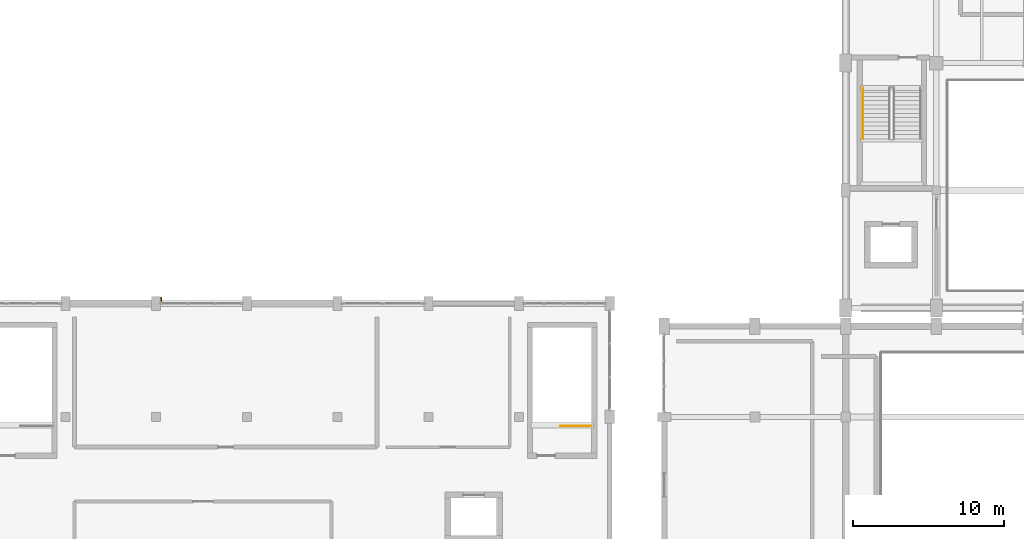
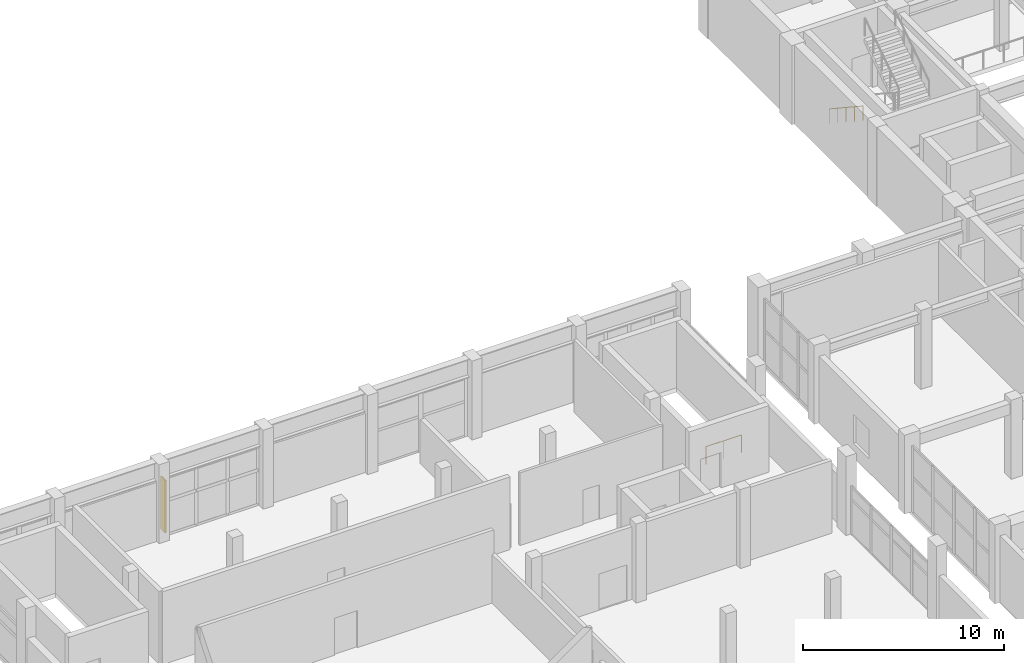
# One storey, part 59 of 62: 2 railings, 1 shading device.
"""IFC4 building model written with IfcOpenShell, lengths in metres."""

from ifc_helpers import new_model, si_unit, direction, frame, origin, origin_2d, place, context, subcontext, project, spatial, rectangle, circle, extrude, material, type_object, element, save


model = new_model("IFC4")

# Units and contexts
model_context = context("Model", 3, precision=1e-05, world=origin(), true_north=direction((0.0, 1.0)))
body_context = subcontext(model_context, "Body", "Model", "MODEL_VIEW")
ifc_project = project(units=[si_unit("LENGTHUNIT", "METRE"), si_unit("AREAUNIT", "SQUARE_METRE"), si_unit("VOLUMEUNIT", "CUBIC_METRE"), si_unit("PLANEANGLEUNIT", "RADIAN"), si_unit("MASSUNIT", "GRAM", prefix="KILO")], contexts=[model_context])

# Site, building, storey
site_placement = place(None, origin())
site = spatial("IfcSite", under=ifc_project, at=site_placement, CompositionType="ELEMENT")
building_placement = place(site_placement, origin())
building = spatial("IfcBuilding", under=site, at=building_placement, Name="Vaelkrest Opera House", CompositionType="ELEMENT")
storey_placement = place(building_placement, frame((0.0, 0.0, 19.800048828125)))
storey = spatial("IfcBuildingStorey", under=building, at=storey_placement, Name="L04", CompositionType="ELEMENT", Elevation=19.800048828125)

# Shading device
ifc_material = material(Name="Dark bronze anodized aluminium", Category="aluminium")
shading_device_type = type_object("IfcShadingDeviceType", Name="FIN01", PredefinedType="USERDEFINED", material=ifc_material)
shading_device_placement = place(storey_placement, frame((-63.26708984375, 17.8798828125, 0.19921875), z_axis=(0.0, 0.0, 1.0), x_axis=(0.0, 1.0, 0.0)))
element("IfcShadingDevice", 1, at=shading_device_placement, inside=storey, type_object=shading_device_type, Name="Bronze vertical facade fin 18", ObjectType="FIN", PredefinedType="USERDEFINED", context=body_context, shape_type="SweptSolid", body=[
    extrude(rectangle(XDim=0.449951171875, YDim=0.080078125, at=origin_2d()), origin(), (0.0, 0.0, 1.0), 3.199951171875),
])

# Railings
railing_type_1 = type_object("IfcRailingType", Name="GR02", PredefinedType="GUARDRAIL", material=ifc_material)
railing_1_placement = place(storey_placement, frame((-34.800048828125, 9.60009765625, 0.0)))
element("IfcRailing", 2, at=railing_1_placement, inside=storey, type_object=railing_type_1, Name="L04 ST08 top well guard 1", PredefinedType="GUARDRAIL", context=body_context, shape_type="SweptSolid", body=[
    extrude(circle(Radius=0.02392578125, at=origin_2d()), frame((0.0, 0.0, 1.076171875), z_axis=(-1.0, 0.0, 0.0), x_axis=(0.0, -1.0, 0.0)), (0.0, 0.0, 1.0), 2.050048828125),
    extrude(circle(Radius=0.02099609375, at=origin_2d()), origin(), (0.0, 0.0, 1.0), 1.052001953125),
    extrude(circle(Radius=0.02099609375, at=origin_2d()), frame((-1.02490234375, 0.0, 0.0)), (0.0, 0.0, 1.0), 1.052001953125),
    extrude(circle(Radius=0.02099609375, at=origin_2d()), frame((-2.050048828125, 0.0, 0.0)), (0.0, 0.0, 1.0), 1.052001953125),
])
railing_type_2 = type_object("IfcRailingType", Name="HR02", PredefinedType="HANDRAIL", material=ifc_material)
railing_2_placement = place(storey_placement, frame((-16.85009765625, 31.949951171875, 0.1845703125)))
element("IfcRailing", 3, at=railing_2_placement, inside=storey, type_object=railing_type_2, Name="L04 ST05 stair handrail 1", PredefinedType="HANDRAIL", context=body_context, shape_type="SweptSolid", body=[
    extrude(circle(Radius=0.02392578125, at=origin_2d()), frame((0.0, 0.0, 0.8759765625), z_axis=(0.0, -0.834858096282, 0.550465220583), x_axis=(1.0, 0.0, 0.0)), (0.0, 0.0, 1.0), 4.0244140625),
    extrude(circle(Radius=0.02099609375, at=origin_2d()), origin(), (0.0, 0.0, 1.0), 0.851806640625),
    extrude(circle(Radius=0.02099609375, at=origin_2d()), frame((0.0, -0.83984375, 0.5537109375)), (0.0, 0.0, 1.0), 0.851806640625),
    extrude(circle(Radius=0.02099609375, at=origin_2d()), frame((0.0, -1.679931640625, 1.107666015625)), (0.0, 0.0, 1.0), 0.851806640625),
    extrude(circle(Radius=0.02099609375, at=origin_2d()), frame((0.0, -2.52001953125, 1.66162109375)), (0.0, 0.0, 1.0), 0.851806640625),
    extrude(circle(Radius=0.02099609375, at=origin_2d()), frame((0.0, -3.35986328125, 2.21533203125)), (0.0, 0.0, 1.0), 0.851806640625),
])

save(model, "model.ifc")
